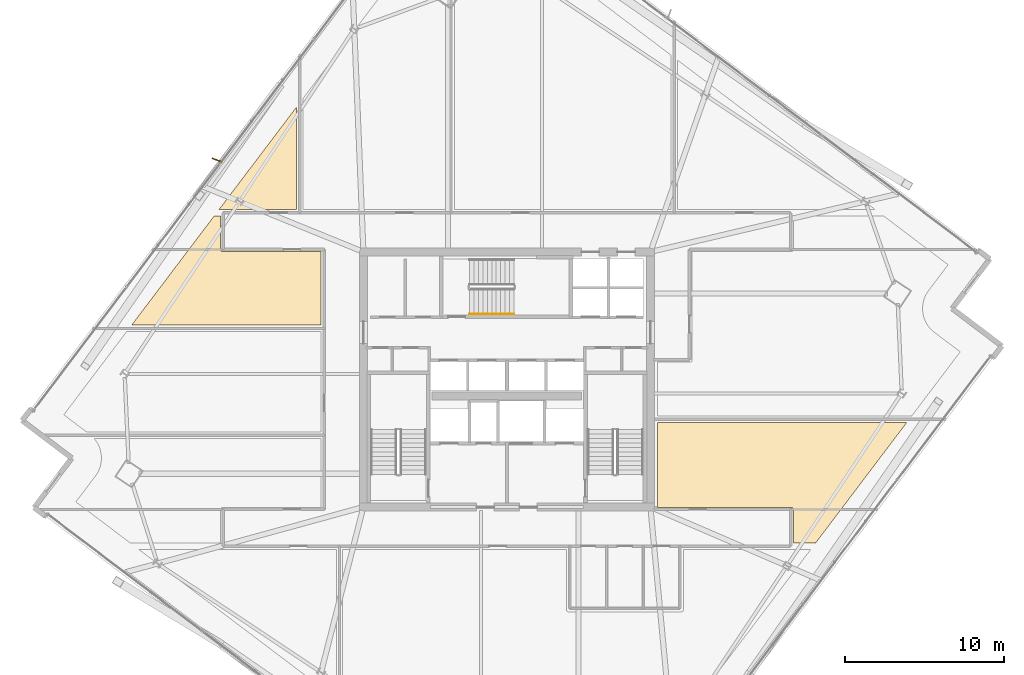
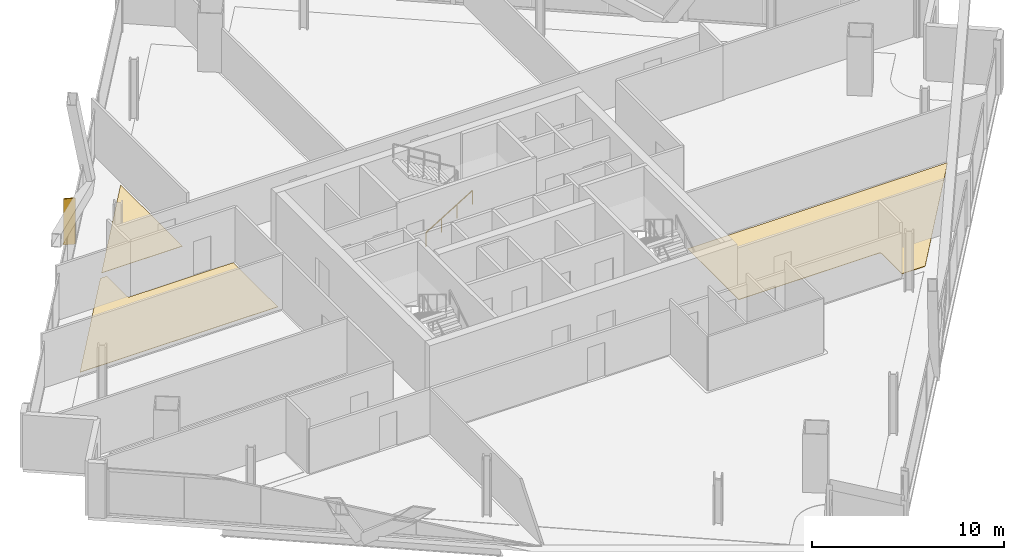
# One storey, part 32 of 34: 3 coverings, 1 railing, 1 shading device.
"""IFC4 building model written with IfcOpenShell, lengths in metres."""

from ifc_helpers import new_model, si_unit, direction, frame, origin, origin_2d, place, context, subcontext, project, spatial, polyline, rectangle, outline, extrude, source, transform, mapped, material, layer, layer_set, type_object, element, save


model = new_model("IFC4")

# Units and contexts
model_context = context("Model", 3, precision=1e-05, world=origin(), true_north=direction((0.0, 1.0)))
body_context = subcontext(model_context, "Body", "Model", "MODEL_VIEW")
ifc_project = project(units=[si_unit("LENGTHUNIT", "METRE"), si_unit("AREAUNIT", "SQUARE_METRE"), si_unit("VOLUMEUNIT", "CUBIC_METRE"), si_unit("PLANEANGLEUNIT", "RADIAN"), si_unit("MASSUNIT", "GRAM", prefix="KILO")], contexts=[model_context])

# Site, building, storey
site_placement = place(None, origin())
site = spatial("IfcSite", under=ifc_project, at=site_placement, CompositionType="ELEMENT")
building_placement = place(site_placement, origin())
building = spatial("IfcBuilding", under=site, at=building_placement, Name="Haldenkirk Collegiate Tower", CompositionType="ELEMENT")
storey_placement = place(building_placement, frame((0.0, 0.0, 205.949951171875)))
storey = spatial("IfcBuildingStorey", under=building, at=storey_placement, Name="L51", CompositionType="ELEMENT", Elevation=205.949951171875)

# Coverings
ifc_material_1 = material(Name="Polished collegiate terrazzo", Category="concrete")
ifc_layer_1 = layer(ifc_material_1, 0.02490234375)
ifc_layer_set_1 = layer_set([ifc_layer_1], Name="Polished collegiate terrazzo")
covering_type_1 = type_object("IfcCoveringType", Name="COV-FLOOR-TERRAZZO", PredefinedType="FLOORING", material=ifc_layer_set_1)
covering_1_placement = place(storey_placement, origin())
element("IfcCovering", 1, at=covering_1_placement, inside=storey, type_object=covering_type_1, Name="L51 academic room finish 10", PredefinedType="FLOORING", context=body_context, shape_type="SweptSolid", body=[
    extrude(outline(polyline([(55.367431640625, 15.75), (53.969970703125, 15.75), (53.969970703125, 17.85009765625), (53.969482421875, 17.86181640625), (53.9677734375, 17.873291015625), (53.96484375, 17.884765625), (53.9609375, 17.89599609375), (53.955810546875, 17.906494140625), (53.94970703125, 17.916748046875), (53.94287109375, 17.926025390625), (53.934814453125, 17.934814453125), (53.926025390625, 17.94287109375), (53.916748046875, 17.94970703125), (53.906494140625, 17.955810546875), (53.89599609375, 17.9609375), (53.884765625, 17.96484375), (53.873291015625, 17.9677734375), (53.86181640625, 17.969482421875), (53.85009765625, 17.969970703125), (45.449951171875, 17.969970703125), (45.449951171875, 23.300048828125), (61.077392578125, 23.300048828125), (55.367431640625, 15.75)])), origin(), (0.0, 0.0, 1.0), 0.025146484375),
])
ifc_material_2 = material(Name="Engineered collegiate oak acoustic flooring", Category="wood")
ifc_layer_2 = layer(ifc_material_2, 0.02197265625)
ifc_layer_set_2 = layer_set([ifc_layer_2], Name="Engineered collegiate oak acoustic flooring")
covering_type_2 = type_object("IfcCoveringType", Name="COV-FLOOR-TIMBER", PredefinedType="FLOORING", material=ifc_layer_set_2)
covering_2_placement = place(storey_placement, origin())
element("IfcCovering", 2, at=covering_2_placement, inside=storey, type_object=covering_type_2, Name="L51 academic room finish 03", PredefinedType="FLOORING", context=body_context, shape_type="SweptSolid", body=[
    extrude(outline(polyline([(22.800048828125, 43.07861328125), (22.800048828125, 36.64990234375), (17.938232421875, 36.64990234375), (22.800048828125, 43.07861328125)])), origin(), (0.0, 0.0, 1.0), 0.02197265625),
])
covering_3_placement = place(storey_placement, origin())
element("IfcCovering", 3, at=covering_3_placement, inside=storey, type_object=covering_type_2, Name="L51 academic room finish 09", PredefinedType="FLOORING", context=body_context, shape_type="SweptSolid", body=[
    extrude(outline(polyline([(17.6357421875, 36.25), (18.030029296875, 36.25), (18.030029296875, 34.14990234375), (18.030517578125, 34.13818359375), (18.0322265625, 34.126708984375), (18.03515625, 34.115234375), (18.0390625, 34.10400390625), (18.044189453125, 34.093505859375), (18.05029296875, 34.083251953125), (18.05712890625, 34.073974609375), (18.065185546875, 34.065185546875), (18.073974609375, 34.05712890625), (18.083251953125, 34.05029296875), (18.093505859375, 34.044189453125), (18.10400390625, 34.0390625), (18.115234375, 34.03515625), (18.126708984375, 34.0322265625), (18.13818359375, 34.030517578125), (18.14990234375, 34.030029296875), (24.35009765625, 34.030029296875), (24.35009765625, 29.39990234375), (12.455078125, 29.39990234375), (17.6357421875, 36.25)])), origin(), (0.0, 0.0, 1.0), 0.02197265625),
])

# Railing
ifc_material_3 = material(Name="Painted architectural tubular steel", Category="steel")
railing_type = type_object("IfcRailingType", Name="RLG-STAIR-HANDRAIL-900", PredefinedType="HANDRAIL", material=ifc_material_3)
railing_placement = place(storey_placement, frame((33.64990234375, 30.10009765625, 0.17041015625)))
element("IfcRailing", 4, at=railing_placement, inside=storey, type_object=railing_type, Name="L51 ST-3 stair handrail 1", PredefinedType="HANDRAIL", context=body_context, shape_type="SweptSolid", body=[
    extrude(rectangle(XDim=0.048095703125, YDim=0.048095703125, at=origin_2d()), frame((0.0, 0.0, 0.8759765625), z_axis=(0.854169791009, 0.0, 0.51999420009), x_axis=(0.0, 1.0, 0.0)), (0.0, 0.0, 1.0), 3.278076171875),
    extrude(rectangle(XDim=0.0419921875, YDim=0.0419921875, at=origin_2d()), origin(), (0.0, 0.0, 1.0), 0.851806640625),
    extrude(rectangle(XDim=0.0419921875, YDim=0.0419921875, at=origin_2d()), frame((0.933349609375, 0.0, 0.568115234375)), (0.0, 0.0, 1.0), 0.851806640625),
    extrude(rectangle(XDim=0.0419921875, YDim=0.0419921875, at=origin_2d()), frame((1.86669921875, 0.0, 1.136474609375)), (0.0, 0.0, 1.0), 0.851806640625),
    extrude(rectangle(XDim=0.0419921875, YDim=0.0419921875, at=origin_2d()), frame((2.800048828125, 0.0, 1.70458984375)), (0.0, 0.0, 1.0), 0.851806640625),
])

# Shading device
ifc_material_4 = material(Name="Anodised architectural bronze aluminium", Category="aluminium")
ifc_layer_3 = layer(ifc_material_4, 0.06494140625)
ifc_layer_set_3 = layer_set([ifc_layer_3], Name="Anodised architectural bronze aluminium")
shading_device_type = type_object("IfcShadingDeviceType", Name="SHD-FIN-BRONZE-620", PredefinedType="USERDEFINED", material=ifc_layer_set_3)
shared_shape = source(origin(), body_context, "Body", "SweptSolid", [
    extrude(rectangle(XDim=0.6201171875, YDim=0.06494140625, at=origin_2d()), origin(), (0.0, 0.0, 1.0), 2.927978515625),
])
shading_device_placement = place(storey_placement, frame((17.80322265625, 39.76220703125, 0.0), z_axis=(0.0, 0.0, 1.0), x_axis=(-0.932953534825, 0.35999680812, 0.0)))
element("IfcShadingDevice", 5, at=shading_device_placement, inside=storey, type_object=shading_device_type, Name="L51 folded bronze solar fin 1", ObjectType="FIN", PredefinedType="USERDEFINED", context=body_context, shape_type="MappedRepresentation", body=[
    mapped(shared_shape, transform((0.0, 0.0, 0.0), x_axis=(1.0, 0.0, 0.0), y_axis=(0.0, 1.0, 0.0), z_axis=(0.0, 0.0, 1.0), scale=1.0)),
])

save(model, "model.ifc")
